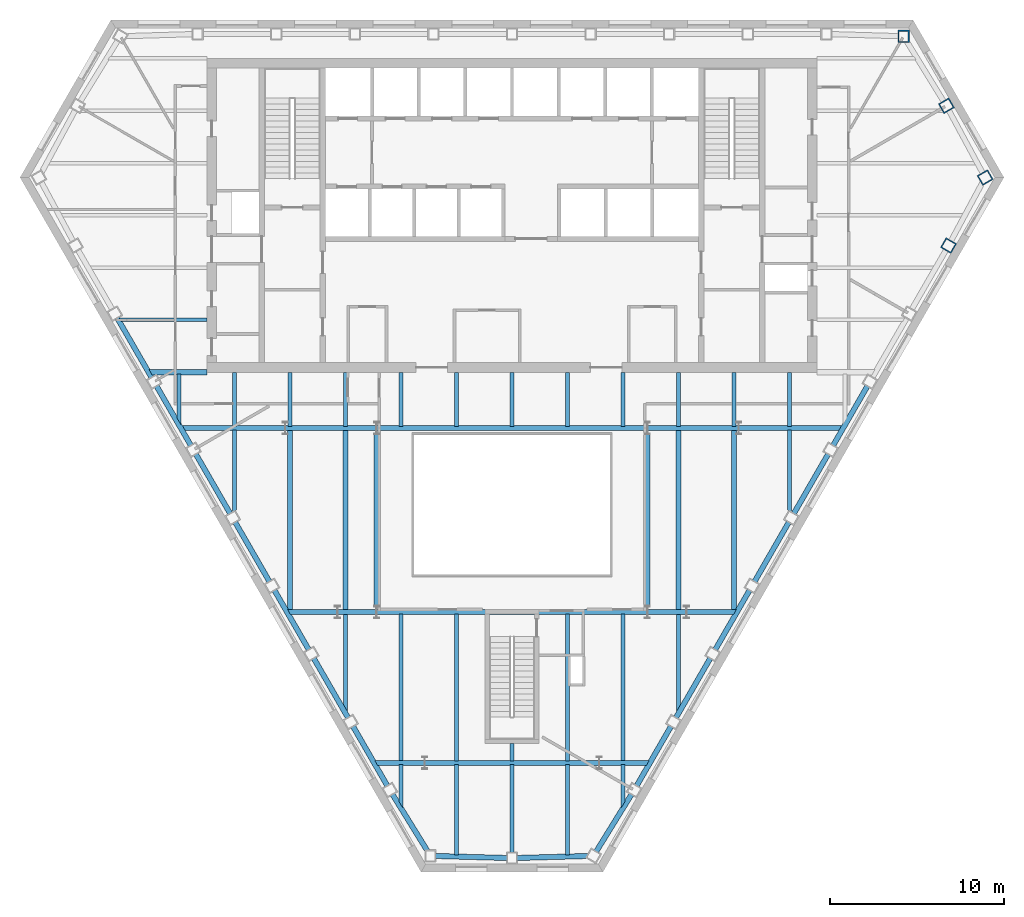
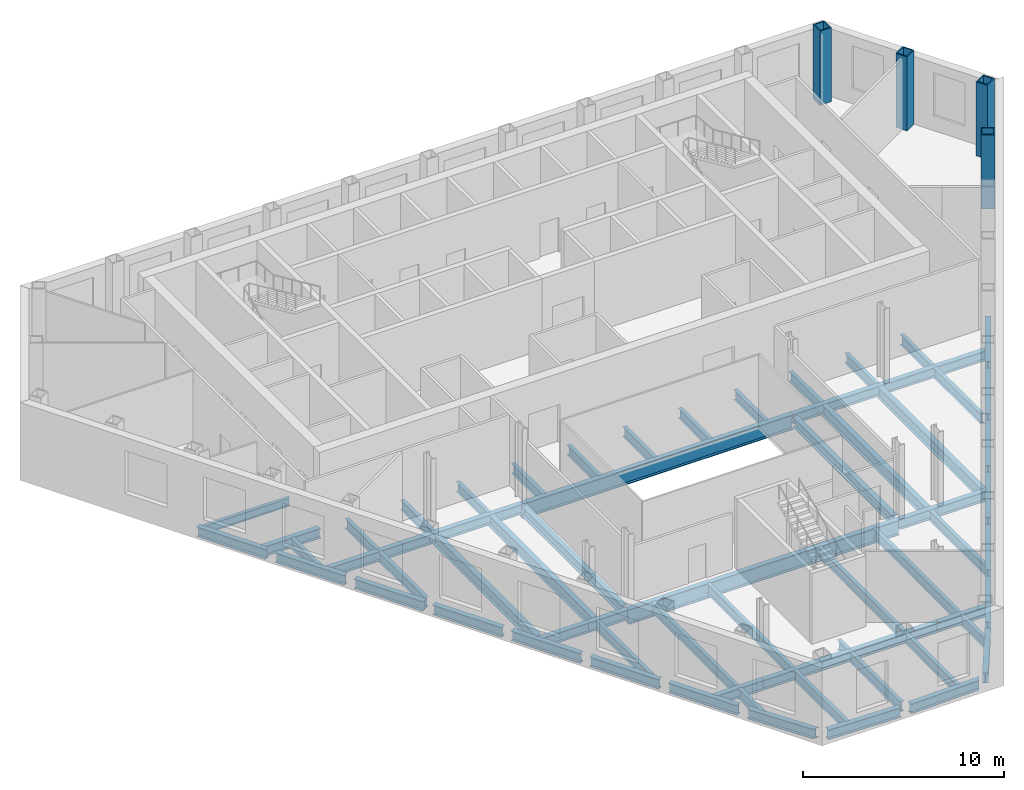
# One storey, part 2 of 11: 64 beams, 4 columns.
"""IFC4 building model written with IfcOpenShell, lengths in metres."""

from ifc_helpers import new_model, si_unit, direction, frame, origin, origin_2d, place, context, subcontext, project, spatial, hollow_rectangle, i_section, extrude, clip, halfspace, material, material_profile, profile_set, type_object, element, save


model = new_model("IFC4")

# Units and contexts
model_context = context("Model", 3, precision=1e-05, world=origin(), true_north=direction((0.0, 1.0)))
body_context = subcontext(model_context, "Body", "Model", "MODEL_VIEW")
ifc_project = project(units=[si_unit("LENGTHUNIT", "METRE"), si_unit("AREAUNIT", "SQUARE_METRE"), si_unit("VOLUMEUNIT", "CUBIC_METRE"), si_unit("PLANEANGLEUNIT", "RADIAN"), si_unit("MASSUNIT", "GRAM", prefix="KILO")], contexts=[model_context])

# Site, building, storey
site_placement = place(None, origin())
site = spatial("IfcSite", under=ifc_project, at=site_placement, CompositionType="ELEMENT")
building_placement = place(site_placement, origin())
building = spatial("IfcBuilding", under=site, at=building_placement, Name="Njiva Tower", CompositionType="ELEMENT")
storey_placement = place(building_placement, frame((0.0, 0.0, 93.3)))
storey = spatial("IfcBuildingStorey", under=building, at=storey_placement, Name="L19", CompositionType="ELEMENT", Elevation=93.3)

# Columns
ifc_material = material(Name="Steel S355 J2", Category="steel")
ifc_material_profile_1 = material_profile(ifc_material, hollow_rectangle(XDim=0.65, YDim=0.7, WallThickness=0.065, at=origin_2d()), Name="BOX 700x650x65")
ifc_profile_set_1 = profile_set([ifc_material_profile_1], Name="Steel S355 J2")
column_type = type_object("IfcColumnType", Name="C7 Perimeter tube column BOX 700x650x65", PredefinedType="COLUMN", material=ifc_profile_set_1)
for number, where, z_axis, x_axis, name in (
    (1, (22.456, 19.267, 0.0), (0.0, 0.0, 1.0), (-1.0, 0.0, 0.0), "Perimeter tube column S06-C01"),
    (2, (25.033, 7.265, 0.0), (0.0, 0.0, 1.0), (0.5, 0.866025403784, 0.0), "Perimeter tube column S06-C34"),
    (3, (27.133, 11.167, 0.0), (0.0, 0.0, 1.0), (-0.5, 0.866025403784, 0.0), "Perimeter tube column S06-C35"),
    (4, (24.91, 15.284, 0.0), (0.0, 0.0, 1.0), (-0.5, 0.866025403784, 0.0), "Perimeter tube column S06-C36"),
):
    element("IfcColumn", number, at=place(storey_placement, frame(where, z_axis=z_axis, x_axis=x_axis)), inside=storey, type_object=column_type, Name=name, PredefinedType="COLUMN", context=body_context, shape_type="SweptSolid", body=[
        extrude(hollow_rectangle(XDim=0.65, YDim=0.7, WallThickness=0.065, at=origin_2d()), origin(), (0.0, 0.0, 1.0), 4.5),
    ])

# Beams
ifc_material_profile_2 = material_profile(ifc_material, i_section(OverallWidth=0.3, OverallDepth=0.69, WebThickness=0.0145, FlangeThickness=0.027, at=origin_2d()), Name="HEA 700")
ifc_profile_set_2 = profile_set([ifc_material_profile_2], Name="Steel S355 J2")
beam_type_1 = type_object("IfcBeamType", Name="B12 Long-span floor joist HEA 700", PredefinedType="JOIST", material=ifc_profile_set_2)
for number, where, z_axis, x_axis, name in (
    (5, (-12.733, -3.3, -0.545), (0.0, -1.0, 0.0), (1.0, 0.0, 0.0), "Long-span floor joist S06-B058"),
    (6, (-9.55, -3.3, -0.545), (0.0, -1.0, 0.0), (1.0, 0.0, 0.0), "Long-span floor joist S06-B061"),
    (7, (9.55, -3.3, -0.545), (0.0, -1.0, 0.0), (1.0, 0.0, 0.0), "Long-span floor joist S06-B079"),
    (8, (12.733, -3.3, -0.545), (0.0, -1.0, 0.0), (1.0, 0.0, 0.0), "Long-span floor joist S06-B081"),
):
    element("IfcBeam", number, at=place(storey_placement, frame(where, z_axis=z_axis, x_axis=x_axis)), inside=storey, type_object=beam_type_1, Name=name, PredefinedType="JOIST", context=body_context, shape_type="SweptSolid", body=[
        extrude(i_section(OverallWidth=0.3, OverallDepth=0.69, WebThickness=0.0145, FlangeThickness=0.027, at=origin_2d()), origin(), (0.0, 0.0, 1.0), 10.35),
    ])
ifc_material_profile_3 = material_profile(ifc_material, i_section(OverallWidth=0.22, OverallDepth=0.6, WebThickness=0.012, FlangeThickness=0.019, at=origin_2d()), Name="IPE 600")
ifc_profile_set_3 = profile_set([ifc_material_profile_3], Name="Steel S355 J2")
beam_type_2 = type_object("IfcBeamType", Name="B13 Floor joist IPE 600", PredefinedType="JOIST", material=ifc_profile_set_3)
beam_1_placement = place(storey_placement, frame((-15.917, -3.3, -0.5), z_axis=(0.0, -1.0, 0.0), x_axis=(1.0, 0.0, 0.0)))
element("IfcBeam", 9, at=beam_1_placement, inside=storey, type_object=beam_type_2, Name="Floor joist S06-B056", PredefinedType="JOIST", context=body_context, shape_type="Clipping", body=[
    clip(extrude(i_section(OverallWidth=0.22, OverallDepth=0.6, WebThickness=0.012, FlangeThickness=0.019, at=origin_2d()), origin(), (0.0, 0.0, 1.0), 4.754), halfspace(frame((0.0253, 0.0, 4.6554), z_axis=(0.499998009787, 0.0, 0.866026552831), x_axis=(0.0, 1.0, 0.0)), False)),
])
beam_2_placement = place(storey_placement, frame((-9.55, -13.85, -0.5), z_axis=(0.0, -1.0, 0.0), x_axis=(1.0, 0.0, 0.0)))
element("IfcBeam", 10, at=beam_2_placement, inside=storey, type_object=beam_type_2, Name="Floor joist S06-B060", PredefinedType="JOIST", context=body_context, shape_type="Clipping", body=[
    clip(extrude(i_section(OverallWidth=0.22, OverallDepth=0.6, WebThickness=0.012, FlangeThickness=0.019, at=origin_2d()), origin(), (0.0, 0.0, 1.0), 5.714), halfspace(frame((-0.0433, 0.0, 5.4277), z_axis=(-0.866026552831, 0.0, 0.499998009787), x_axis=(0.0, 1.0, 0.0)), False)),
])
for number, where, z_axis, x_axis, name in (
    (11, (-6.367, -13.851, -0.5), (0.0, -1.0, 0.0), (1.0, 0.0, 0.0), "Floor joist S06-B064"),
    (12, (-3.183, -13.851, -0.5), (0.0, -1.0, 0.0), (1.0, 0.0, 0.0), "Floor joist S06-B067"),
):
    element("IfcBeam", number, at=place(storey_placement, frame(where, z_axis=z_axis, x_axis=x_axis)), inside=storey, type_object=beam_type_2, Name=name, PredefinedType="JOIST", context=body_context, shape_type="SweptSolid", body=[
        extrude(i_section(OverallWidth=0.22, OverallDepth=0.6, WebThickness=0.012, FlangeThickness=0.019, at=origin_2d()), origin(), (0.0, 0.0, 1.0), 8.449),
    ])
beam_3_placement = place(storey_placement, frame((-3.183, -22.5, -0.5), z_axis=(0.0, -1.0, 0.0), x_axis=(1.0, 0.0, 0.0)))
element("IfcBeam", 13, at=beam_3_placement, inside=storey, type_object=beam_type_2, Name="Floor joist S06-B066", PredefinedType="JOIST", context=body_context, shape_type="SweptSolid", body=[
    extrude(i_section(OverallWidth=0.22, OverallDepth=0.6, WebThickness=0.012, FlangeThickness=0.019, at=origin_2d()), origin(), (0.0, 0.0, 1.0), 5.168),
])
beam_4_placement = place(storey_placement, frame((0.0, -22.5, -0.5), z_axis=(0.0, -1.0, 0.0), x_axis=(1.0, 0.0, 0.0)))
element("IfcBeam", 14, at=beam_4_placement, inside=storey, type_object=beam_type_2, Name="Floor joist S06-B069", PredefinedType="JOIST", context=body_context, shape_type="SweptSolid", body=[
    extrude(i_section(OverallWidth=0.22, OverallDepth=0.6, WebThickness=0.012, FlangeThickness=0.019, at=origin_2d()), origin(), (0.0, 0.0, 1.0), 5.061),
])
beam_5_placement = place(storey_placement, frame((3.183, -13.851, -0.5), z_axis=(0.0, -1.0, 0.0), x_axis=(1.0, 0.0, 0.0)))
element("IfcBeam", 15, at=beam_5_placement, inside=storey, type_object=beam_type_2, Name="Floor joist S06-B073", PredefinedType="JOIST", context=body_context, shape_type="SweptSolid", body=[
    extrude(i_section(OverallWidth=0.22, OverallDepth=0.6, WebThickness=0.012, FlangeThickness=0.019, at=origin_2d()), origin(), (0.0, 0.0, 1.0), 8.449),
])
beam_6_placement = place(storey_placement, frame((3.183, -22.5, -0.5), z_axis=(0.0, -1.0, 0.0), x_axis=(1.0, 0.0, 0.0)))
element("IfcBeam", 16, at=beam_6_placement, inside=storey, type_object=beam_type_2, Name="Floor joist S06-B072", PredefinedType="JOIST", context=body_context, shape_type="SweptSolid", body=[
    extrude(i_section(OverallWidth=0.22, OverallDepth=0.6, WebThickness=0.012, FlangeThickness=0.019, at=origin_2d()), origin(), (0.0, 0.0, 1.0), 5.168),
])
beam_7_placement = place(storey_placement, frame((6.367, -13.851, -0.5), z_axis=(0.0, -1.0, 0.0), x_axis=(1.0, 0.0, 0.0)))
element("IfcBeam", 17, at=beam_7_placement, inside=storey, type_object=beam_type_2, Name="Floor joist S06-B076", PredefinedType="JOIST", context=body_context, shape_type="SweptSolid", body=[
    extrude(i_section(OverallWidth=0.22, OverallDepth=0.6, WebThickness=0.012, FlangeThickness=0.019, at=origin_2d()), origin(), (0.0, 0.0, 1.0), 8.449),
])
beam_8_placement = place(storey_placement, frame((9.55, -13.85, -0.5), z_axis=(0.0, -1.0, 0.0), x_axis=(1.0, 0.0, 0.0)))
element("IfcBeam", 18, at=beam_8_placement, inside=storey, type_object=beam_type_2, Name="Floor joist S06-B078", PredefinedType="JOIST", context=body_context, shape_type="Clipping", body=[
    clip(extrude(i_section(OverallWidth=0.22, OverallDepth=0.6, WebThickness=0.012, FlangeThickness=0.019, at=origin_2d()), origin(), (0.0, 0.0, 1.0), 5.714), halfspace(frame((0.0433, 0.0, 5.4277), z_axis=(0.866026552831, 0.0, 0.499998009787), x_axis=(0.0, 1.0, 0.0)), False)),
])
beam_9_placement = place(storey_placement, frame((15.917, -3.3, -0.5), z_axis=(0.0, -1.0, 0.0), x_axis=(1.0, 0.0, 0.0)))
element("IfcBeam", 19, at=beam_9_placement, inside=storey, type_object=beam_type_2, Name="Floor joist S06-B084", PredefinedType="JOIST", context=body_context, shape_type="Clipping", body=[
    clip(extrude(i_section(OverallWidth=0.22, OverallDepth=0.6, WebThickness=0.012, FlangeThickness=0.019, at=origin_2d()), origin(), (0.0, 0.0, 1.0), 4.754), halfspace(frame((-0.0253, 0.0, 4.6554), z_axis=(-0.499998009787, 0.0, 0.866026552831), x_axis=(0.0, 1.0, 0.0)), False)),
])
ifc_material_profile_4 = material_profile(ifc_material, i_section(OverallWidth=0.22, OverallDepth=0.6, WebThickness=0.012, FlangeThickness=0.019, at=origin_2d()), Name="IPE 600")
ifc_profile_set_4 = profile_set([ifc_material_profile_4], Name="Steel S355 J2")
beam_type_3 = type_object("IfcBeamType", Name="B14 Short-span floor joist IPE 600", PredefinedType="JOIST", material=ifc_profile_set_4)
beam_10_placement = place(storey_placement, frame((-19.1, -0.1, -0.5), z_axis=(0.0, -1.0, 0.0), x_axis=(1.0, 0.0, 0.0)))
element("IfcBeam", 20, at=beam_10_placement, inside=storey, type_object=beam_type_3, Name="Short-span floor joist S06-B054", PredefinedType="JOIST", context=body_context, shape_type="Clipping", body=[
    clip(extrude(i_section(OverallWidth=0.22, OverallDepth=0.6, WebThickness=0.012, FlangeThickness=0.019, at=origin_2d()), origin(), (0.0, 0.0, 1.0), 2.923), halfspace(frame((-0.0433, 0.0, 2.6366), z_axis=(-0.866026552831, 0.0, 0.499998009787), x_axis=(0.0, 1.0, 0.0)), False)),
])
for number, where, z_axis, x_axis, name in (
    (21, (-15.917, -0.005, -0.5), (0.0, -1.0, 0.0), (1.0, 0.0, 0.0), "Short-span floor joist S06-B057"),
    (22, (-12.733, -0.005, -0.5), (0.0, -1.0, 0.0), (1.0, 0.0, 0.0), "Short-span floor joist S06-B059"),
    (23, (-9.55, -0.005, -0.5), (0.0, -1.0, 0.0), (1.0, 0.0, 0.0), "Short-span floor joist S06-B062"),
):
    element("IfcBeam", number, at=place(storey_placement, frame(where, z_axis=z_axis, x_axis=x_axis)), inside=storey, type_object=beam_type_3, Name=name, PredefinedType="JOIST", context=body_context, shape_type="SweptSolid", body=[
        extrude(i_section(OverallWidth=0.22, OverallDepth=0.6, WebThickness=0.012, FlangeThickness=0.019, at=origin_2d()), origin(), (0.0, 0.0, 1.0), 3.095),
    ])
beam_11_placement = place(storey_placement, frame((-6.367, -0.005, -0.5), z_axis=(0.0, -1.0, 0.0), x_axis=(1.0, 0.0, 0.0)))
element("IfcBeam", 24, at=beam_11_placement, inside=storey, type_object=beam_type_3, Name="Short-span floor joist S06-B065", PredefinedType="JOIST", context=body_context, shape_type="SweptSolid", body=[
    extrude(i_section(OverallWidth=0.22, OverallDepth=0.6, WebThickness=0.012, FlangeThickness=0.019, at=origin_2d()), origin(), (0.0, 0.0, 1.0), 3.094),
])
beam_12_placement = place(storey_placement, frame((-6.367, -22.5, -0.5), z_axis=(0.0, -1.0, 0.0), x_axis=(1.0, 0.0, 0.0)))
element("IfcBeam", 25, at=beam_12_placement, inside=storey, type_object=beam_type_3, Name="Short-span floor joist S06-B063", PredefinedType="JOIST", context=body_context, shape_type="Clipping", body=[
    clip(extrude(i_section(OverallWidth=0.22, OverallDepth=0.6, WebThickness=0.012, FlangeThickness=0.019, at=origin_2d()), origin(), (0.0, 0.0, 1.0), 2.501), halfspace(frame((-0.0422, 0.0, 2.2343), z_axis=(-0.850615955969, 0.0, 0.525787500281), x_axis=(0.0, 1.0, 0.0)), False)),
])
for number, where, z_axis, x_axis, name in (
    (26, (-3.183, -0.005, -0.5), (0.0, -1.0, 0.0), (1.0, 0.0, 0.0), "Short-span floor joist S06-B068"),
    (27, (0.0, -0.005, -0.5), (0.0, -1.0, 0.0), (1.0, 0.0, 0.0), "Short-span floor joist S06-B071"),
):
    element("IfcBeam", number, at=place(storey_placement, frame(where, z_axis=z_axis, x_axis=x_axis)), inside=storey, type_object=beam_type_3, Name=name, PredefinedType="JOIST", context=body_context, shape_type="SweptSolid", body=[
        extrude(i_section(OverallWidth=0.22, OverallDepth=0.6, WebThickness=0.012, FlangeThickness=0.019, at=origin_2d()), origin(), (0.0, 0.0, 1.0), 3.094),
    ])
beam_13_placement = place(storey_placement, frame((0.0, -21.3, -0.5), z_axis=(0.0, -1.0, 0.0), x_axis=(1.0, 0.0, 0.0)))
element("IfcBeam", 28, at=beam_13_placement, inside=storey, type_object=beam_type_3, Name="Short-span floor joist S06-B070", PredefinedType="JOIST", context=body_context, shape_type="SweptSolid", body=[
    extrude(i_section(OverallWidth=0.22, OverallDepth=0.6, WebThickness=0.012, FlangeThickness=0.019, at=origin_2d()), origin(), (0.0, 0.0, 1.0), 1.0),
])
for number, where, z_axis, x_axis, name in (
    (29, (3.183, -0.005, -0.5), (0.0, -1.0, 0.0), (1.0, 0.0, 0.0), "Short-span floor joist S06-B074"),
    (30, (6.367, -0.005, -0.5), (0.0, -1.0, 0.0), (1.0, 0.0, 0.0), "Short-span floor joist S06-B077"),
):
    element("IfcBeam", number, at=place(storey_placement, frame(where, z_axis=z_axis, x_axis=x_axis)), inside=storey, type_object=beam_type_3, Name=name, PredefinedType="JOIST", context=body_context, shape_type="SweptSolid", body=[
        extrude(i_section(OverallWidth=0.22, OverallDepth=0.6, WebThickness=0.012, FlangeThickness=0.019, at=origin_2d()), origin(), (0.0, 0.0, 1.0), 3.094),
    ])
beam_14_placement = place(storey_placement, frame((6.367, -22.5, -0.5), z_axis=(0.0, -1.0, 0.0), x_axis=(1.0, 0.0, 0.0)))
element("IfcBeam", 31, at=beam_14_placement, inside=storey, type_object=beam_type_3, Name="Short-span floor joist S06-B075", PredefinedType="JOIST", context=body_context, shape_type="Clipping", body=[
    clip(extrude(i_section(OverallWidth=0.22, OverallDepth=0.6, WebThickness=0.012, FlangeThickness=0.019, at=origin_2d()), origin(), (0.0, 0.0, 1.0), 2.501), halfspace(frame((0.0422, 0.0, 2.2343), z_axis=(0.850615955969, 0.0, 0.525787500281), x_axis=(0.0, 1.0, 0.0)), False)),
])
for number, where, z_axis, x_axis, name in (
    (32, (9.55, -0.005, -0.5), (0.0, -1.0, 0.0), (1.0, 0.0, 0.0), "Short-span floor joist S06-B080"),
    (33, (12.733, -0.005, -0.5), (0.0, -1.0, 0.0), (1.0, 0.0, 0.0), "Short-span floor joist S06-B082"),
    (34, (15.917, -0.005, -0.5), (0.0, -1.0, 0.0), (1.0, 0.0, 0.0), "Short-span floor joist S06-B085"),
):
    element("IfcBeam", number, at=place(storey_placement, frame(where, z_axis=z_axis, x_axis=x_axis)), inside=storey, type_object=beam_type_3, Name=name, PredefinedType="JOIST", context=body_context, shape_type="SweptSolid", body=[
        extrude(i_section(OverallWidth=0.22, OverallDepth=0.6, WebThickness=0.012, FlangeThickness=0.019, at=origin_2d()), origin(), (0.0, 0.0, 1.0), 3.095),
    ])
ifc_material_profile_5 = material_profile(ifc_material, i_section(OverallWidth=0.3, OverallDepth=0.6, WebThickness=0.0155, FlangeThickness=0.03, at=origin_2d()), Name="HEB 600")
ifc_profile_set_5 = profile_set([ifc_material_profile_5], Name="Steel S355 J2")
beam_type_4 = type_object("IfcBeamType", Name="B20 Floor girder HEB 600", PredefinedType="BEAM", material=ifc_profile_set_5)
beam_15_placement = place(storey_placement, frame((-18.983, -3.2, -0.5), z_axis=(1.0, 0.0, 0.0), x_axis=(0.0, 1.0, 0.0)))
element("IfcBeam", 35, at=beam_15_placement, inside=storey, type_object=beam_type_4, Name="Floor girder S06-B016", PredefinedType="BEAM", context=body_context, shape_type="Clipping", body=[
    clip(extrude(i_section(OverallWidth=0.3, OverallDepth=0.6, WebThickness=0.0155, FlangeThickness=0.03, at=origin_2d()), origin(), (0.0, 0.0, 1.0), 5.983), halfspace(frame((-0.025, 0.0, 0.1217), z_axis=(-0.499998009787, 0.0, -0.866026552831), x_axis=(0.0, -1.0, 0.0)), False)),
])
for number, where, z_axis, x_axis, name in (
    (36, (-13.0, -3.2, -0.5), (1.0, 0.0, 0.0), (0.0, 1.0, 0.0), "Floor girder S06-B017"),
    (37, (7.76, -3.2, -0.5), (1.0, 0.0, 0.0), (0.0, 1.0, 0.0), "Floor girder S06-B024"),
):
    element("IfcBeam", number, at=place(storey_placement, frame(where, z_axis=z_axis, x_axis=x_axis)), inside=storey, type_object=beam_type_4, Name=name, PredefinedType="BEAM", context=body_context, shape_type="SweptSolid", body=[
        extrude(i_section(OverallWidth=0.3, OverallDepth=0.6, WebThickness=0.0155, FlangeThickness=0.03, at=origin_2d()), origin(), (0.0, 0.0, 1.0), 5.24),
    ])
beam_16_placement = place(storey_placement, frame((13.0, -3.2, -0.5), z_axis=(1.0, 0.0, 0.0), x_axis=(0.0, 1.0, 0.0)))
element("IfcBeam", 38, at=beam_16_placement, inside=storey, type_object=beam_type_4, Name="Floor girder S06-B026", PredefinedType="BEAM", context=body_context, shape_type="Clipping", body=[
    clip(extrude(i_section(OverallWidth=0.3, OverallDepth=0.6, WebThickness=0.0155, FlangeThickness=0.03, at=origin_2d()), origin(), (0.0, 0.0, 1.0), 5.983), halfspace(frame((-0.025, 0.0, 5.8613), z_axis=(-0.499998009787, 0.0, 0.866026552831), x_axis=(0.0, 1.0, 0.0)), False)),
])
ifc_material_profile_6 = material_profile(ifc_material, i_section(OverallWidth=0.3, OverallDepth=0.6, WebThickness=0.0155, FlangeThickness=0.03, at=origin_2d()), Name="HEB 600")
ifc_profile_set_6 = profile_set([ifc_material_profile_6], Name="Steel S355 J2")
beam_type_5 = type_object("IfcBeamType", Name="B21 Short-span floor girder HEB 600", PredefinedType="BEAM", material=ifc_profile_set_6)
beam_17_placement = place(storey_placement, frame((-12.892, -13.75, -0.5), z_axis=(1.0, 0.0, 0.0), x_axis=(0.0, 1.0, 0.0)))
element("IfcBeam", 39, at=beam_17_placement, inside=storey, type_object=beam_type_5, Name="Short-span floor girder S06-B018", PredefinedType="BEAM", context=body_context, shape_type="Clipping", body=[
    clip(extrude(i_section(OverallWidth=0.3, OverallDepth=0.6, WebThickness=0.0155, FlangeThickness=0.03, at=origin_2d()), origin(), (0.0, 0.0, 1.0), 2.892), halfspace(frame((-0.025, 0.0, 0.1217), z_axis=(-0.499998009787, 0.0, -0.866026552831), x_axis=(0.0, -1.0, 0.0)), False)),
])
for number, where, z_axis, x_axis, name in (
    (40, (-10.0, -13.75, -0.5), (1.0, 0.0, 0.0), (0.0, 1.0, 0.0), "Short-span floor girder S06-B019"),
    (41, (7.76, -13.75, -0.5), (1.0, 0.0, 0.0), (0.0, 1.0, 0.0), "Short-span floor girder S06-B023"),
):
    element("IfcBeam", number, at=place(storey_placement, frame(where, z_axis=z_axis, x_axis=x_axis)), inside=storey, type_object=beam_type_5, Name=name, PredefinedType="BEAM", context=body_context, shape_type="SweptSolid", body=[
        extrude(i_section(OverallWidth=0.3, OverallDepth=0.6, WebThickness=0.0155, FlangeThickness=0.03, at=origin_2d()), origin(), (0.0, 0.0, 1.0), 2.24),
    ])
beam_18_placement = place(storey_placement, frame((10.0, -13.75, -0.5), z_axis=(1.0, 0.0, 0.0), x_axis=(0.0, 1.0, 0.0)))
element("IfcBeam", 42, at=beam_18_placement, inside=storey, type_object=beam_type_5, Name="Short-span floor girder S06-B025", PredefinedType="BEAM", context=body_context, shape_type="Clipping", body=[
    clip(extrude(i_section(OverallWidth=0.3, OverallDepth=0.6, WebThickness=0.0155, FlangeThickness=0.03, at=origin_2d()), origin(), (0.0, 0.0, 1.0), 2.892), halfspace(frame((-0.025, 0.0, 2.7703), z_axis=(-0.499998009787, 0.0, 0.866026552831), x_axis=(0.0, 1.0, 0.0)), False)),
])
beam_19_placement = place(storey_placement, frame((-7.898, -22.4, -0.5), z_axis=(1.0, 0.0, 0.0), x_axis=(0.0, 1.0, 0.0)))
element("IfcBeam", 43, at=beam_19_placement, inside=storey, type_object=beam_type_5, Name="Short-span floor girder S06-B020", PredefinedType="BEAM", context=body_context, shape_type="Clipping", body=[
    clip(extrude(i_section(OverallWidth=0.3, OverallDepth=0.6, WebThickness=0.0155, FlangeThickness=0.03, at=origin_2d()), origin(), (0.0, 0.0, 1.0), 2.898), halfspace(frame((-0.025, 0.0, 0.1218), z_axis=(-0.499998009787, 0.0, -0.866026552831), x_axis=(0.0, -1.0, 0.0)), False)),
])
beam_20_placement = place(storey_placement, frame((5.0, -22.4, -0.5), z_axis=(1.0, 0.0, 0.0), x_axis=(0.0, 1.0, 0.0)))
element("IfcBeam", 44, at=beam_20_placement, inside=storey, type_object=beam_type_5, Name="Short-span floor girder S06-B022", PredefinedType="BEAM", context=body_context, shape_type="Clipping", body=[
    clip(extrude(i_section(OverallWidth=0.3, OverallDepth=0.6, WebThickness=0.0155, FlangeThickness=0.03, at=origin_2d()), origin(), (0.0, 0.0, 1.0), 2.898), halfspace(frame((-0.025, 0.0, 2.7762), z_axis=(-0.499998009787, 0.0, 0.866026552831), x_axis=(0.0, 1.0, 0.0)), False)),
])
beam_21_placement = place(storey_placement, frame((-20.83, 0.0, -0.5), z_axis=(1.0, 0.0, 0.0), x_axis=(0.0, 1.0, 0.0)))
element("IfcBeam", 45, at=beam_21_placement, inside=storey, type_object=beam_type_5, Name="Short-span floor girder S06-B015", PredefinedType="BEAM", context=body_context, shape_type="Clipping", body=[
    clip(extrude(i_section(OverallWidth=0.3, OverallDepth=0.6, WebThickness=0.0155, FlangeThickness=0.03, at=origin_2d()), origin(), (0.0, 0.0, 1.0), 3.33), halfspace(frame((-0.025, 0.0, 0.1211), z_axis=(-0.499998009787, 0.0, -0.866026552831), x_axis=(0.0, -1.0, 0.0)), False)),
])
ifc_material_profile_7 = material_profile(ifc_material, i_section(OverallWidth=0.3, OverallDepth=0.6, WebThickness=0.0155, FlangeThickness=0.03, at=origin_2d()), Name="HEB 600")
ifc_profile_set_7 = profile_set([ifc_material_profile_7], Name="Steel S355 J2")
beam_type_6 = type_object("IfcBeamType", Name="B22 Long-span floor girder HEB 600", PredefinedType="BEAM", material=ifc_profile_set_7)
beam_22_placement = place(storey_placement, frame((-5.0, -22.4, -0.5), z_axis=(1.0, 0.0, 0.0), x_axis=(0.0, 1.0, 0.0)))
element("IfcBeam", 46, at=beam_22_placement, inside=storey, type_object=beam_type_6, Name="Long-span floor girder S06-B021", PredefinedType="BEAM", context=body_context, shape_type="SweptSolid", body=[
    extrude(i_section(OverallWidth=0.3, OverallDepth=0.6, WebThickness=0.0155, FlangeThickness=0.03, at=origin_2d()), origin(), (0.0, 0.0, 1.0), 10.0),
])
ifc_material_profile_8 = material_profile(ifc_material, i_section(OverallWidth=0.3, OverallDepth=0.6, WebThickness=0.0155, FlangeThickness=0.03, at=origin_2d()), Name="HEB 600")
ifc_profile_set_8 = profile_set([ifc_material_profile_8], Name="Steel S355 J2")
beam_type_7 = type_object("IfcBeamType", Name="B23 Long-span atrium trimmer beam HEB 600", PredefinedType="BEAM", material=ifc_profile_set_8)
for number, where, z_axis, x_axis, name in (
    (47, (7.76, -13.442, -0.5), (0.0, 1.0, 0.0), (-1.0, 0.0, 0.0), "Long-span atrium trimmer beam S06-B092"),
    (48, (-7.76, -3.508, -0.5), (0.0, -1.0, 0.0), (1.0, 0.0, 0.0), "Long-span atrium trimmer beam S06-B089"),
):
    element("IfcBeam", number, at=place(storey_placement, frame(where, z_axis=z_axis, x_axis=x_axis)), inside=storey, type_object=beam_type_7, Name=name, PredefinedType="BEAM", context=body_context, shape_type="SweptSolid", body=[
        extrude(i_section(OverallWidth=0.3, OverallDepth=0.6, WebThickness=0.0155, FlangeThickness=0.03, at=origin_2d()), origin(), (0.0, 0.0, 1.0), 9.934),
    ])
ifc_material_profile_9 = material_profile(ifc_material, i_section(OverallWidth=0.2, OverallDepth=0.5, WebThickness=0.0102, FlangeThickness=0.016, at=origin_2d()), Name="IPE 500")
ifc_profile_set_9 = profile_set([ifc_material_profile_9], Name="Steel S355 J2")
beam_type_8 = type_object("IfcBeamType", Name="B24 Floor beam to the core IPE 500", PredefinedType="BEAM", material=ifc_profile_set_9)
beam_23_placement = place(storey_placement, frame((-22.533, 3.0, -0.45), z_axis=(1.0, 0.0, 0.0), x_axis=(0.0, 1.0, 0.0)))
element("IfcBeam", 49, at=beam_23_placement, inside=storey, type_object=beam_type_8, Name="Floor beam to the core S06-B007", PredefinedType="BEAM", context=body_context, shape_type="Clipping", body=[
    clip(extrude(i_section(OverallWidth=0.2, OverallDepth=0.5, WebThickness=0.0102, FlangeThickness=0.016, at=origin_2d()), origin(), (0.0, 0.0, 1.0), 5.033), halfspace(frame((-0.025, 0.0, 0.0921), z_axis=(-0.499998009787, 0.0, -0.866026552831), x_axis=(0.0, -1.0, 0.0)), False)),
])
ifc_material_profile_10 = material_profile(ifc_material, i_section(OverallWidth=0.3, OverallDepth=0.6, WebThickness=0.0155, FlangeThickness=0.03, at=origin_2d()), Name="HEB 600")
ifc_profile_set_10 = profile_set([ifc_material_profile_10], Name="Steel S355 J2")
beam_type_9 = type_object("IfcBeamType", Name="B3 Short-span spandrel beam HEB 600", PredefinedType="SPANDREL", material=ifc_profile_set_10)
for number, where, z_axis, x_axis, name in (
    (50, (-22.642, 3.124, -0.5), (0.499890179513, -0.866088799389, 0.0), (0.866088799389, 0.499890179513, 0.0), "Short-span spandrel beam S06-B100"),
    (51, (-20.389, -0.779, -0.5), (0.499890179513, -0.866088799389, 0.0), (0.866088799389, 0.499890179513, 0.0), "Short-span spandrel beam S06-B104"),
):
    element("IfcBeam", number, at=place(storey_placement, frame(where, z_axis=z_axis, x_axis=x_axis)), inside=storey, type_object=beam_type_9, Name=name, PredefinedType="SPANDREL", context=body_context, shape_type="SweptSolid", body=[
        extrude(i_section(OverallWidth=0.3, OverallDepth=0.6, WebThickness=0.0155, FlangeThickness=0.03, at=origin_2d()), origin(), (0.0, 0.0, 1.0), 3.9569),
    ])
beam_24_placement = place(storey_placement, frame((-18.136, -4.682, -0.5), z_axis=(0.500079715141, -0.865979375335, 0.0), x_axis=(0.865979375335, 0.500079715141, 0.0)))
element("IfcBeam", 52, at=beam_24_placement, inside=storey, type_object=beam_type_9, Name="Short-span spandrel beam S06-B106", PredefinedType="SPANDREL", context=body_context, shape_type="SweptSolid", body=[
    extrude(i_section(OverallWidth=0.3, OverallDepth=0.6, WebThickness=0.0155, FlangeThickness=0.03, at=origin_2d()), origin(), (0.0, 0.0, 1.0), 3.9574),
])
beam_25_placement = place(storey_placement, frame((-15.882, -8.585, -0.5), z_axis=(0.499890179513, -0.866088799389, 0.0), x_axis=(0.866088799389, 0.499890179513, 0.0)))
element("IfcBeam", 53, at=beam_25_placement, inside=storey, type_object=beam_type_9, Name="Short-span spandrel beam S06-B110", PredefinedType="SPANDREL", context=body_context, shape_type="SweptSolid", body=[
    extrude(i_section(OverallWidth=0.3, OverallDepth=0.6, WebThickness=0.0155, FlangeThickness=0.03, at=origin_2d()), origin(), (0.0, 0.0, 1.0), 3.9569),
])
beam_26_placement = place(storey_placement, frame((-13.629, -12.488, -0.5), z_axis=(0.500079715141, -0.865979375335, 0.0), x_axis=(0.865979375335, 0.500079715141, 0.0)))
element("IfcBeam", 54, at=beam_26_placement, inside=storey, type_object=beam_type_9, Name="Short-span spandrel beam S06-B112", PredefinedType="SPANDREL", context=body_context, shape_type="SweptSolid", body=[
    extrude(i_section(OverallWidth=0.3, OverallDepth=0.6, WebThickness=0.0155, FlangeThickness=0.03, at=origin_2d()), origin(), (0.0, 0.0, 1.0), 3.9574),
])
beam_27_placement = place(storey_placement, frame((-11.375, -16.391, -0.5), z_axis=(0.499999616612, -0.866025625133, 0.0), x_axis=(0.866025625133, 0.499999616612, 0.0)))
element("IfcBeam", 55, at=beam_27_placement, inside=storey, type_object=beam_type_9, Name="Short-span spandrel beam S06-B115", PredefinedType="SPANDREL", context=body_context, shape_type="SweptSolid", body=[
    extrude(i_section(OverallWidth=0.3, OverallDepth=0.6, WebThickness=0.0155, FlangeThickness=0.03, at=origin_2d()), origin(), (0.0, 0.0, 1.0), 3.956),
])
beam_28_placement = place(storey_placement, frame((-9.123, -20.293, -0.5), z_axis=(0.500079715141, -0.865979375335, 0.0), x_axis=(0.865979375335, 0.500079715141, 0.0)))
element("IfcBeam", 56, at=beam_28_placement, inside=storey, type_object=beam_type_9, Name="Short-span spandrel beam S06-B117", PredefinedType="SPANDREL", context=body_context, shape_type="SweptSolid", body=[
    extrude(i_section(OverallWidth=0.3, OverallDepth=0.6, WebThickness=0.0155, FlangeThickness=0.03, at=origin_2d()), origin(), (0.0, 0.0, 1.0), 3.9574),
])
beam_29_placement = place(storey_placement, frame((-6.86, -24.195, -0.5), z_axis=(0.52571133272, -0.850663032375, 0.0), x_axis=(0.850663032375, 0.52571133272, 0.0)))
element("IfcBeam", 57, at=beam_29_placement, inside=storey, type_object=beam_type_9, Name="Short-span spandrel beam S06-B120", PredefinedType="SPANDREL", context=body_context, shape_type="Clipping", body=[
    clip(extrude(i_section(OverallWidth=0.3, OverallDepth=0.6, WebThickness=0.0155, FlangeThickness=0.03, at=origin_2d()), origin(), (0.0, 0.0, 1.0), 3.9136), halfspace(frame((-0.026, 0.0, 3.7845), z_axis=(-0.52571133272, 0.0, 0.850663032375), x_axis=(0.0, 1.0, 0.0)), False)),
])
beam_30_placement = place(storey_placement, frame((-4.397, -27.736, -0.5), z_axis=(0.999596627573, -0.028400389856, 0.0), x_axis=(0.028400389856, 0.999596627573, 0.0)))
element("IfcBeam", 58, at=beam_30_placement, inside=storey, type_object=beam_type_9, Name="Short-span spandrel beam S06-B123", PredefinedType="SPANDREL", context=body_context, shape_type="SweptSolid", body=[
    extrude(i_section(OverallWidth=0.3, OverallDepth=0.6, WebThickness=0.0155, FlangeThickness=0.03, at=origin_2d()), origin(), (0.0, 0.0, 1.0), 4.1197),
])
beam_31_placement = place(storey_placement, frame((0.279, -27.853, -0.5), z_axis=(0.999596107807, 0.028418677972, 0.0), x_axis=(-0.028418677972, 0.999596107807, 0.0)))
element("IfcBeam", 59, at=beam_31_placement, inside=storey, type_object=beam_type_9, Name="Short-span spandrel beam S06-B126", PredefinedType="SPANDREL", context=body_context, shape_type="Clipping", body=[
    clip(extrude(i_section(OverallWidth=0.3, OverallDepth=0.6, WebThickness=0.0155, FlangeThickness=0.03, at=origin_2d()), origin(), (0.0, 0.0, 1.0), 4.1586), halfspace(frame((-0.0262, 0.0, 4.0303), z_axis=(-0.524407394214, 0.0, 0.851467489041), x_axis=(0.0, 1.0, 0.0)), False)),
])
beam_32_placement = place(storey_placement, frame((4.823, -27.491, -0.5), z_axis=(0.525723636925, 0.850655428231, 0.0), x_axis=(-0.850655428231, 0.525723636925, 0.0)))
element("IfcBeam", 60, at=beam_32_placement, inside=storey, type_object=beam_type_9, Name="Short-span spandrel beam S06-B130", PredefinedType="SPANDREL", context=body_context, shape_type="SweptSolid", body=[
    extrude(i_section(OverallWidth=0.3, OverallDepth=0.6, WebThickness=0.0155, FlangeThickness=0.03, at=origin_2d()), origin(), (0.0, 0.0, 1.0), 3.8747),
])
beam_33_placement = place(storey_placement, frame((7.144, -23.72, -0.5), z_axis=(0.500079715141, 0.865979375335, 0.0), x_axis=(-0.865979375335, 0.500079715141, 0.0)))
element("IfcBeam", 61, at=beam_33_placement, inside=storey, type_object=beam_type_9, Name="Short-span spandrel beam S06-B132", PredefinedType="SPANDREL", context=body_context, shape_type="SweptSolid", body=[
    extrude(i_section(OverallWidth=0.3, OverallDepth=0.6, WebThickness=0.0155, FlangeThickness=0.03, at=origin_2d()), origin(), (0.0, 0.0, 1.0), 3.9574),
])
beam_34_placement = place(storey_placement, frame((9.397, -19.817, -0.5), z_axis=(0.499999616612, 0.866025625133, 0.0), x_axis=(-0.866025625133, 0.499999616612, 0.0)))
element("IfcBeam", 62, at=beam_34_placement, inside=storey, type_object=beam_type_9, Name="Short-span spandrel beam S06-B135", PredefinedType="SPANDREL", context=body_context, shape_type="SweptSolid", body=[
    extrude(i_section(OverallWidth=0.3, OverallDepth=0.6, WebThickness=0.0155, FlangeThickness=0.03, at=origin_2d()), origin(), (0.0, 0.0, 1.0), 3.956),
])
beam_35_placement = place(storey_placement, frame((11.65, -15.915, -0.5), z_axis=(0.500079715141, 0.865979375335, 0.0), x_axis=(-0.865979375335, 0.500079715141, 0.0)))
element("IfcBeam", 63, at=beam_35_placement, inside=storey, type_object=beam_type_9, Name="Short-span spandrel beam S06-B137", PredefinedType="SPANDREL", context=body_context, shape_type="SweptSolid", body=[
    extrude(i_section(OverallWidth=0.3, OverallDepth=0.6, WebThickness=0.0155, FlangeThickness=0.03, at=origin_2d()), origin(), (0.0, 0.0, 1.0), 3.9574),
])
beam_36_placement = place(storey_placement, frame((13.904, -12.012, -0.5), z_axis=(0.499890179513, 0.866088799389, 0.0), x_axis=(-0.866088799389, 0.499890179513, 0.0)))
element("IfcBeam", 64, at=beam_36_placement, inside=storey, type_object=beam_type_9, Name="Short-span spandrel beam S06-B141", PredefinedType="SPANDREL", context=body_context, shape_type="SweptSolid", body=[
    extrude(i_section(OverallWidth=0.3, OverallDepth=0.6, WebThickness=0.0155, FlangeThickness=0.03, at=origin_2d()), origin(), (0.0, 0.0, 1.0), 3.9569),
])
beam_37_placement = place(storey_placement, frame((16.157, -8.109, -0.5), z_axis=(0.500079715141, 0.865979375335, 0.0), x_axis=(-0.865979375335, 0.500079715141, 0.0)))
element("IfcBeam", 65, at=beam_37_placement, inside=storey, type_object=beam_type_9, Name="Short-span spandrel beam S06-B143", PredefinedType="SPANDREL", context=body_context, shape_type="SweptSolid", body=[
    extrude(i_section(OverallWidth=0.3, OverallDepth=0.6, WebThickness=0.0155, FlangeThickness=0.03, at=origin_2d()), origin(), (0.0, 0.0, 1.0), 3.9574),
])
beam_38_placement = place(storey_placement, frame((18.411, -4.206, -0.5), z_axis=(0.499890179513, 0.866088799389, 0.0), x_axis=(-0.866088799389, 0.499890179513, 0.0)))
element("IfcBeam", 66, at=beam_38_placement, inside=storey, type_object=beam_type_9, Name="Short-span spandrel beam S06-B147", PredefinedType="SPANDREL", context=body_context, shape_type="SweptSolid", body=[
    extrude(i_section(OverallWidth=0.3, OverallDepth=0.6, WebThickness=0.0155, FlangeThickness=0.03, at=origin_2d()), origin(), (0.0, 0.0, 1.0), 3.9569),
])
ifc_material_profile_11 = material_profile(ifc_material, i_section(OverallWidth=0.302, OverallDepth=0.91, WebThickness=0.021, FlangeThickness=0.04, at=origin_2d()), Name="HEM 900")
ifc_profile_set_11 = profile_set([ifc_material_profile_11], Name="Steel S355 J2")
beam_type_10 = type_object("IfcBeamType", Name="B8 Long-span atrium trimmer beam HEM 900", PredefinedType="BEAM", material=ifc_profile_set_11)
for number, where, z_axis, x_axis, name in (
    (67, (-7.76, -13.75, -0.655), (1.0, 0.0, 0.0), (0.0, 1.0, 0.0), "Long-span atrium trimmer beam S06-B088"),
    (68, (7.76, -3.2, -0.655), (-1.0, 0.0, 0.0), (0.0, -1.0, 0.0), "Long-span atrium trimmer beam S06-B090"),
):
    element("IfcBeam", number, at=place(storey_placement, frame(where, z_axis=z_axis, x_axis=x_axis)), inside=storey, type_object=beam_type_10, Name=name, PredefinedType="BEAM", context=body_context, shape_type="SweptSolid", body=[
        extrude(i_section(OverallWidth=0.302, OverallDepth=0.91, WebThickness=0.021, FlangeThickness=0.04, at=origin_2d()), origin(), (0.0, 0.0, 1.0), 15.52),
    ])

save(model, "model.ifc")
